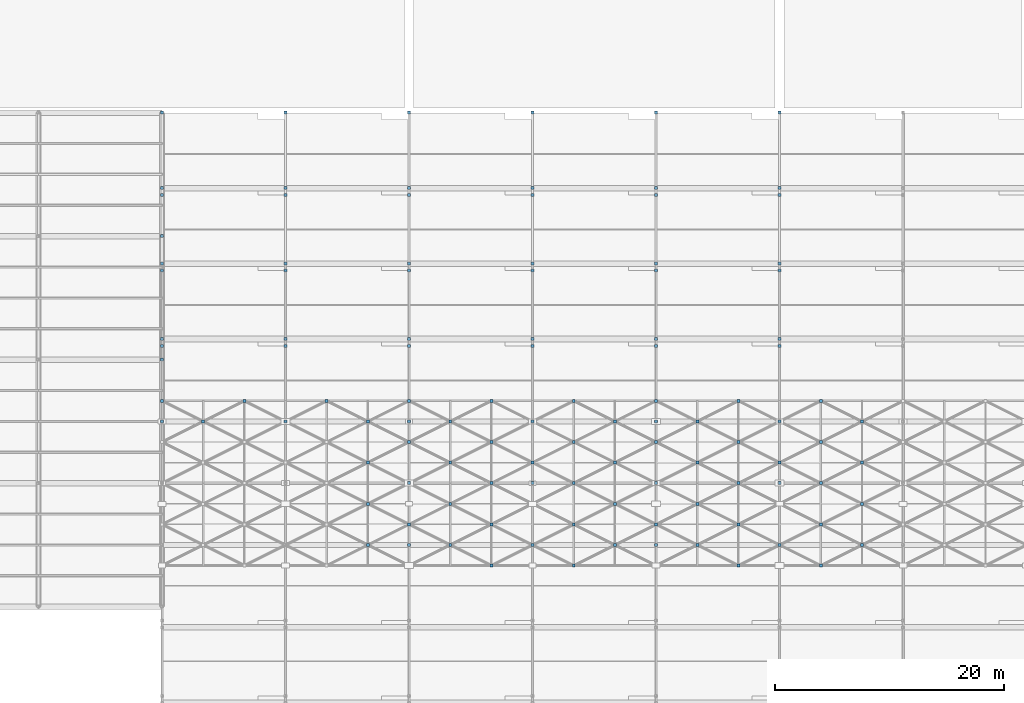
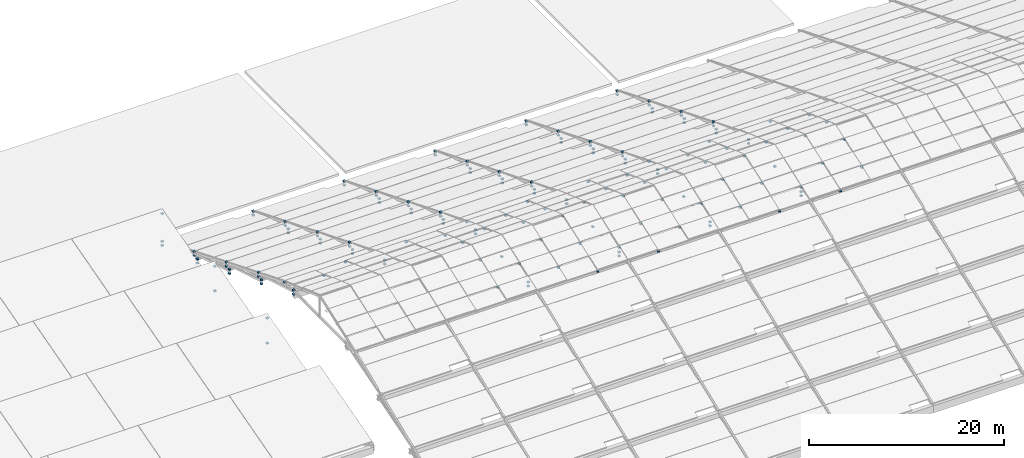
# One storey, part 108 of 112: 167 discrete accessories.
"""IFC4 building model written with IfcOpenShell, lengths in metres."""

from ifc_helpers import new_model, si_unit, direction, frame, origin, origin_2d, place, context, subcontext, project, spatial, rectangle, extrude, material, type_object, element, save


model = new_model("IFC4")

# Units and contexts
model_context = context("Model", 3, precision=1e-05, world=origin(), true_north=direction((0.0, 1.0)))
body_context = subcontext(model_context, "Body", "Model", "MODEL_VIEW")
ifc_project = project(units=[si_unit("LENGTHUNIT", "METRE"), si_unit("AREAUNIT", "SQUARE_METRE"), si_unit("VOLUMEUNIT", "CUBIC_METRE"), si_unit("PLANEANGLEUNIT", "RADIAN"), si_unit("MASSUNIT", "GRAM", prefix="KILO")], contexts=[model_context])

# Site, building, storey
site_placement = place(None, origin())
site = spatial("IfcSite", under=ifc_project, at=site_placement, CompositionType="ELEMENT")
building_placement = place(site_placement, origin())
building = spatial("IfcBuilding", under=site, at=building_placement, Name="Zwinboog Wholesale Market", CompositionType="ELEMENT")
storey_placement = place(building_placement, frame((0.0, 0.0, 19.080078125)))
storey = spatial("IfcBuildingStorey", under=building, at=storey_placement, Name="Roof", CompositionType="ELEMENT", Elevation=19.080078125)

# Discrete accessories
ifc_material = material(Name="Steel S355", Category="steel")
discrete_accessory_type = type_object("IfcDiscreteAccessoryType", Name="ACC-BRK-S355", PredefinedType="BRACKET", material=ifc_material)
for number, where, z_axis, x_axis, name in (
    (1, (64.800048828125, 108.0, -10.10986328125), (0.0, 0.0, 1.0), (1.0, 0.0, 0.0), "BK-01 (ACC-BRC-0017)"),
    (2, (64.800048828125, 108.0, -9.60986328125), (0.0, 0.0, 1.0), (1.0, 0.0, 0.0), "BK-01 (ACC-BRC-0018)"),
    (3, (64.800048828125, 100.800048828125, -7.9599609375), (0.0, 0.0, 1.0), (1.0, 0.0, 0.0), "BK-01 (ACC-BRC-0019)"),
    (4, (64.800048828125, 100.800048828125, -7.4599609375), (0.0, 0.0, 1.0), (1.0, 0.0, 0.0), "BK-01 (ACC-BRC-0020)"),
    (5, (64.800048828125, 101.39990234375, -7.41015625), (0.0, 0.0, 1.0), (1.0, 0.0, 0.0), "BK-01 (ACC-BRC-0021)"),
    (6, (64.800048828125, 101.39990234375, -6.91015625), (0.0, 0.0, 1.0), (1.0, 0.0, 0.0), "BK-01 (ACC-BRC-0022)"),
    (7, (64.800048828125, 94.199951171875, -5.26025390625), (0.0, 0.0, 1.0), (1.0, 0.0, 0.0), "BK-01 (ACC-BRC-0023)"),
    (8, (64.800048828125, 94.199951171875, -4.76025390625), (0.0, 0.0, 1.0), (1.0, 0.0, 0.0), "BK-01 (ACC-BRC-0024)"),
    (9, (64.800048828125, 94.800048828125, -4.7099609375), (0.0, 0.0, 1.0), (1.0, 0.0, 0.0), "BK-01 (ACC-BRC-0025)"),
    (10, (64.800048828125, 94.800048828125, -4.2099609375), (0.0, 0.0, 1.0), (1.0, 0.0, 0.0), "BK-01 (ACC-BRC-0026)"),
    (11, (64.800048828125, 87.60009765625, -2.56005859375), (0.0, 0.0, 1.0), (1.0, 0.0, 0.0), "BK-01 (ACC-BRC-0027)"),
    (12, (64.800048828125, 87.60009765625, -2.06005859375), (0.0, 0.0, 1.0), (1.0, 0.0, 0.0), "BK-01 (ACC-BRC-0028)"),
    (13, (64.800048828125, 88.199951171875, -2.01025390625), (0.0, 0.0, 1.0), (1.0, 0.0, 0.0), "BK-01 (ACC-BRC-0029)"),
    (14, (64.800048828125, 88.199951171875, -1.51025390625), (0.0, 0.0, 1.0), (1.0, 0.0, 0.0), "BK-01 (ACC-BRC-0030)"),
    (15, (64.800048828125, 81.0, 0.14013671875), (0.0, 0.0, 1.0), (1.0, 0.0, 0.0), "BK-01 (ACC-BRC-0031)"),
    (16, (64.800048828125, 81.0, 0.64013671875), (0.0, 0.0, 1.0), (1.0, 0.0, 0.0), "BK-01 (ACC-BRC-0032)"),
    (17, (75.60009765625, 108.0, -10.10986328125), (0.0, 0.0, 1.0), (1.0, 0.0, 0.0), "BK-01 (ACC-BRC-0050)"),
    (18, (75.60009765625, 108.0, -9.60986328125), (0.0, 0.0, 1.0), (1.0, 0.0, 0.0), "BK-01 (ACC-BRC-0051)"),
    (19, (75.60009765625, 100.800048828125, -7.9599609375), (0.0, 0.0, 1.0), (1.0, 0.0, 0.0), "BK-01 (ACC-BRC-0052)"),
    (20, (75.60009765625, 100.800048828125, -7.4599609375), (0.0, 0.0, 1.0), (1.0, 0.0, 0.0), "BK-01 (ACC-BRC-0053)"),
    (21, (75.60009765625, 101.39990234375, -7.41015625), (0.0, 0.0, 1.0), (1.0, 0.0, 0.0), "BK-01 (ACC-BRC-0054)"),
    (22, (75.60009765625, 101.39990234375, -6.91015625), (0.0, 0.0, 1.0), (1.0, 0.0, 0.0), "BK-01 (ACC-BRC-0055)"),
    (23, (75.60009765625, 94.199951171875, -5.26025390625), (0.0, 0.0, 1.0), (1.0, 0.0, 0.0), "BK-01 (ACC-BRC-0056)"),
    (24, (75.60009765625, 94.199951171875, -4.76025390625), (0.0, 0.0, 1.0), (1.0, 0.0, 0.0), "BK-01 (ACC-BRC-0057)"),
    (25, (75.60009765625, 94.800048828125, -4.7099609375), (0.0, 0.0, 1.0), (1.0, 0.0, 0.0), "BK-01 (ACC-BRC-0058)"),
    (26, (75.60009765625, 94.800048828125, -4.2099609375), (0.0, 0.0, 1.0), (1.0, 0.0, 0.0), "BK-01 (ACC-BRC-0059)"),
    (27, (75.60009765625, 87.60009765625, -2.56005859375), (0.0, 0.0, 1.0), (1.0, 0.0, 0.0), "BK-01 (ACC-BRC-0060)"),
    (28, (75.60009765625, 87.60009765625, -2.06005859375), (0.0, 0.0, 1.0), (1.0, 0.0, 0.0), "BK-01 (ACC-BRC-0061)"),
    (29, (75.60009765625, 88.199951171875, -2.01025390625), (0.0, 0.0, 1.0), (1.0, 0.0, 0.0), "BK-01 (ACC-BRC-0062)"),
    (30, (75.60009765625, 88.199951171875, -1.51025390625), (0.0, 0.0, 1.0), (1.0, 0.0, 0.0), "BK-01 (ACC-BRC-0063)"),
    (31, (75.60009765625, 81.0, 0.14013671875), (0.0, 0.0, 1.0), (1.0, 0.0, 0.0), "BK-01 (ACC-BRC-0064)"),
    (32, (75.60009765625, 81.0, 0.64013671875), (0.0, 0.0, 1.0), (1.0, 0.0, 0.0), "BK-01 (ACC-BRC-0065)"),
    (33, (86.39990234375, 70.199951171875, 0.14013671875), (0.0, 0.0, 1.0), (1.0, 0.0, 0.0), "BK-01 (ACC-BRC-0081)"),
    (34, (86.39990234375, 70.199951171875, 0.64013671875), (0.0, 0.0, 1.0), (1.0, 0.0, 0.0), "BK-01 (ACC-BRC-0082)"),
    (35, (86.39990234375, 108.0, -10.10986328125), (0.0, 0.0, 1.0), (1.0, 0.0, 0.0), "BK-01 (ACC-BRC-0083)"),
    (36, (86.39990234375, 108.0, -9.60986328125), (0.0, 0.0, 1.0), (1.0, 0.0, 0.0), "BK-01 (ACC-BRC-0084)"),
    (37, (86.39990234375, 100.800048828125, -7.9599609375), (0.0, 0.0, 1.0), (1.0, 0.0, 0.0), "BK-01 (ACC-BRC-0085)"),
    (38, (86.39990234375, 100.800048828125, -7.4599609375), (0.0, 0.0, 1.0), (1.0, 0.0, 0.0), "BK-01 (ACC-BRC-0086)"),
    (39, (86.39990234375, 101.39990234375, -7.41015625), (0.0, 0.0, 1.0), (1.0, 0.0, 0.0), "BK-01 (ACC-BRC-0087)"),
    (40, (86.39990234375, 101.39990234375, -6.91015625), (0.0, 0.0, 1.0), (1.0, 0.0, 0.0), "BK-01 (ACC-BRC-0088)"),
    (41, (86.39990234375, 94.199951171875, -5.26025390625), (0.0, 0.0, 1.0), (1.0, 0.0, 0.0), "BK-01 (ACC-BRC-0089)"),
    (42, (86.39990234375, 94.199951171875, -4.76025390625), (0.0, 0.0, 1.0), (1.0, 0.0, 0.0), "BK-01 (ACC-BRC-0090)"),
    (43, (86.39990234375, 94.800048828125, -4.7099609375), (0.0, 0.0, 1.0), (1.0, 0.0, 0.0), "BK-01 (ACC-BRC-0091)"),
    (44, (86.39990234375, 94.800048828125, -4.2099609375), (0.0, 0.0, 1.0), (1.0, 0.0, 0.0), "BK-01 (ACC-BRC-0092)"),
    (45, (86.39990234375, 87.60009765625, -2.56005859375), (0.0, 0.0, 1.0), (1.0, 0.0, 0.0), "BK-01 (ACC-BRC-0093)"),
    (46, (86.39990234375, 87.60009765625, -2.06005859375), (0.0, 0.0, 1.0), (1.0, 0.0, 0.0), "BK-01 (ACC-BRC-0094)"),
    (47, (86.39990234375, 88.199951171875, -2.01025390625), (0.0, 0.0, 1.0), (1.0, 0.0, 0.0), "BK-01 (ACC-BRC-0095)"),
    (48, (86.39990234375, 88.199951171875, -1.51025390625), (0.0, 0.0, 1.0), (1.0, 0.0, 0.0), "BK-01 (ACC-BRC-0096)"),
    (49, (86.39990234375, 81.0, 0.14013671875), (0.0, 0.0, 1.0), (1.0, 0.0, 0.0), "BK-01 (ACC-BRC-0097)"),
    (50, (86.39990234375, 81.0, 0.64013671875), (0.0, 0.0, 1.0), (1.0, 0.0, 0.0), "BK-01 (ACC-BRC-0098)"),
    (51, (86.39990234375, 75.60009765625, 0.5400390625), (0.0, 0.0, 1.0), (1.0, 0.0, 0.0), "BK-01 (ACC-BRC-0099)"),
    (52, (97.199951171875, 70.199951171875, 0.14013671875), (0.0, 0.0, 1.0), (1.0, 0.0, 0.0), "BK-01 (ACC-BRC-0114)"),
    (53, (97.199951171875, 70.199951171875, 0.64013671875), (0.0, 0.0, 1.0), (1.0, 0.0, 0.0), "BK-01 (ACC-BRC-0115)"),
    (54, (97.199951171875, 108.0, -10.10986328125), (0.0, 0.0, 1.0), (1.0, 0.0, 0.0), "BK-01 (ACC-BRC-0116)"),
    (55, (97.199951171875, 108.0, -9.60986328125), (0.0, 0.0, 1.0), (1.0, 0.0, 0.0), "BK-01 (ACC-BRC-0117)"),
    (56, (97.199951171875, 100.800048828125, -7.9599609375), (0.0, 0.0, 1.0), (1.0, 0.0, 0.0), "BK-01 (ACC-BRC-0118)"),
    (57, (97.199951171875, 100.800048828125, -7.4599609375), (0.0, 0.0, 1.0), (1.0, 0.0, 0.0), "BK-01 (ACC-BRC-0119)"),
    (58, (97.199951171875, 101.39990234375, -7.41015625), (0.0, 0.0, 1.0), (1.0, 0.0, 0.0), "BK-01 (ACC-BRC-0120)"),
    (59, (97.199951171875, 101.39990234375, -6.91015625), (0.0, 0.0, 1.0), (1.0, 0.0, 0.0), "BK-01 (ACC-BRC-0121)"),
    (60, (97.199951171875, 94.199951171875, -5.26025390625), (0.0, 0.0, 1.0), (1.0, 0.0, 0.0), "BK-01 (ACC-BRC-0122)"),
    (61, (97.199951171875, 94.199951171875, -4.76025390625), (0.0, 0.0, 1.0), (1.0, 0.0, 0.0), "BK-01 (ACC-BRC-0123)"),
    (62, (97.199951171875, 94.800048828125, -4.7099609375), (0.0, 0.0, 1.0), (1.0, 0.0, 0.0), "BK-01 (ACC-BRC-0124)"),
    (63, (97.199951171875, 94.800048828125, -4.2099609375), (0.0, 0.0, 1.0), (1.0, 0.0, 0.0), "BK-01 (ACC-BRC-0125)"),
    (64, (97.199951171875, 87.60009765625, -2.56005859375), (0.0, 0.0, 1.0), (1.0, 0.0, 0.0), "BK-01 (ACC-BRC-0126)"),
    (65, (97.199951171875, 87.60009765625, -2.06005859375), (0.0, 0.0, 1.0), (1.0, 0.0, 0.0), "BK-01 (ACC-BRC-0127)"),
    (66, (97.199951171875, 88.199951171875, -2.01025390625), (0.0, 0.0, 1.0), (1.0, 0.0, 0.0), "BK-01 (ACC-BRC-0128)"),
    (67, (97.199951171875, 88.199951171875, -1.51025390625), (0.0, 0.0, 1.0), (1.0, 0.0, 0.0), "BK-01 (ACC-BRC-0129)"),
    (68, (97.199951171875, 81.0, 0.14013671875), (0.0, 0.0, 1.0), (1.0, 0.0, 0.0), "BK-01 (ACC-BRC-0130)"),
    (69, (97.199951171875, 81.0, 0.64013671875), (0.0, 0.0, 1.0), (1.0, 0.0, 0.0), "BK-01 (ACC-BRC-0131)"),
    (70, (97.199951171875, 75.60009765625, 0.5400390625), (0.0, 0.0, 1.0), (1.0, 0.0, 0.0), "BK-01 (ACC-BRC-0132)"),
    (71, (108.0, 70.199951171875, 0.14013671875), (0.0, 0.0, 1.0), (1.0, 0.0, 0.0), "BK-01 (ACC-BRC-0147)"),
    (72, (108.0, 70.199951171875, 0.64013671875), (0.0, 0.0, 1.0), (1.0, 0.0, 0.0), "BK-01 (ACC-BRC-0148)"),
    (73, (108.0, 108.0, -10.10986328125), (0.0, 0.0, 1.0), (1.0, 0.0, 0.0), "BK-01 (ACC-BRC-0149)"),
    (74, (108.0, 108.0, -9.60986328125), (0.0, 0.0, 1.0), (1.0, 0.0, 0.0), "BK-01 (ACC-BRC-0150)"),
    (75, (108.0, 100.800048828125, -7.9599609375), (0.0, 0.0, 1.0), (1.0, 0.0, 0.0), "BK-01 (ACC-BRC-0151)"),
    (76, (108.0, 100.800048828125, -7.4599609375), (0.0, 0.0, 1.0), (1.0, 0.0, 0.0), "BK-01 (ACC-BRC-0152)"),
    (77, (108.0, 101.39990234375, -7.41015625), (0.0, 0.0, 1.0), (1.0, 0.0, 0.0), "BK-01 (ACC-BRC-0153)"),
    (78, (108.0, 101.39990234375, -6.91015625), (0.0, 0.0, 1.0), (1.0, 0.0, 0.0), "BK-01 (ACC-BRC-0154)"),
    (79, (108.0, 94.199951171875, -5.26025390625), (0.0, 0.0, 1.0), (1.0, 0.0, 0.0), "BK-01 (ACC-BRC-0155)"),
    (80, (108.0, 94.199951171875, -4.76025390625), (0.0, 0.0, 1.0), (1.0, 0.0, 0.0), "BK-01 (ACC-BRC-0156)"),
    (81, (108.0, 94.800048828125, -4.7099609375), (0.0, 0.0, 1.0), (1.0, 0.0, 0.0), "BK-01 (ACC-BRC-0157)"),
    (82, (108.0, 94.800048828125, -4.2099609375), (0.0, 0.0, 1.0), (1.0, 0.0, 0.0), "BK-01 (ACC-BRC-0158)"),
    (83, (108.0, 87.60009765625, -2.56005859375), (0.0, 0.0, 1.0), (1.0, 0.0, 0.0), "BK-01 (ACC-BRC-0159)"),
    (84, (108.0, 87.60009765625, -2.06005859375), (0.0, 0.0, 1.0), (1.0, 0.0, 0.0), "BK-01 (ACC-BRC-0160)"),
    (85, (108.0, 88.199951171875, -2.01025390625), (0.0, 0.0, 1.0), (1.0, 0.0, 0.0), "BK-01 (ACC-BRC-0161)"),
    (86, (108.0, 88.199951171875, -1.51025390625), (0.0, 0.0, 1.0), (1.0, 0.0, 0.0), "BK-01 (ACC-BRC-0162)"),
    (87, (108.0, 81.0, 0.14013671875), (0.0, 0.0, 1.0), (1.0, 0.0, 0.0), "BK-01 (ACC-BRC-0163)"),
    (88, (108.0, 81.0, 0.64013671875), (0.0, 0.0, 1.0), (1.0, 0.0, 0.0), "BK-01 (ACC-BRC-0164)"),
    (89, (108.0, 75.60009765625, 0.5400390625), (0.0, 0.0, 1.0), (1.0, 0.0, 0.0), "BK-01 (ACC-BRC-0165)"),
    (90, (118.800048828125, 70.199951171875, 0.14013671875), (0.0, 0.0, 1.0), (1.0, 0.0, 0.0), "BK-01 (ACC-BRC-0180)"),
    (91, (118.800048828125, 70.199951171875, 0.64013671875), (0.0, 0.0, 1.0), (1.0, 0.0, 0.0), "BK-01 (ACC-BRC-0181)"),
    (92, (118.800048828125, 108.0, -10.10986328125), (0.0, 0.0, 1.0), (1.0, 0.0, 0.0), "BK-01 (ACC-BRC-0182)"),
    (93, (118.800048828125, 108.0, -9.60986328125), (0.0, 0.0, 1.0), (1.0, 0.0, 0.0), "BK-01 (ACC-BRC-0183)"),
    (94, (118.800048828125, 100.800048828125, -7.9599609375), (0.0, 0.0, 1.0), (1.0, 0.0, 0.0), "BK-01 (ACC-BRC-0184)"),
    (95, (118.800048828125, 100.800048828125, -7.4599609375), (0.0, 0.0, 1.0), (1.0, 0.0, 0.0), "BK-01 (ACC-BRC-0185)"),
    (96, (118.800048828125, 101.39990234375, -7.41015625), (0.0, 0.0, 1.0), (1.0, 0.0, 0.0), "BK-01 (ACC-BRC-0186)"),
    (97, (118.800048828125, 101.39990234375, -6.91015625), (0.0, 0.0, 1.0), (1.0, 0.0, 0.0), "BK-01 (ACC-BRC-0187)"),
    (98, (118.800048828125, 94.199951171875, -5.26025390625), (0.0, 0.0, 1.0), (1.0, 0.0, 0.0), "BK-01 (ACC-BRC-0188)"),
    (99, (118.800048828125, 94.199951171875, -4.76025390625), (0.0, 0.0, 1.0), (1.0, 0.0, 0.0), "BK-01 (ACC-BRC-0189)"),
    (100, (118.800048828125, 94.800048828125, -4.7099609375), (0.0, 0.0, 1.0), (1.0, 0.0, 0.0), "BK-01 (ACC-BRC-0190)"),
    (101, (118.800048828125, 94.800048828125, -4.2099609375), (0.0, 0.0, 1.0), (1.0, 0.0, 0.0), "BK-01 (ACC-BRC-0191)"),
    (102, (118.800048828125, 87.60009765625, -2.56005859375), (0.0, 0.0, 1.0), (1.0, 0.0, 0.0), "BK-01 (ACC-BRC-0192)"),
    (103, (118.800048828125, 87.60009765625, -2.06005859375), (0.0, 0.0, 1.0), (1.0, 0.0, 0.0), "BK-01 (ACC-BRC-0193)"),
    (104, (118.800048828125, 88.199951171875, -2.01025390625), (0.0, 0.0, 1.0), (1.0, 0.0, 0.0), "BK-01 (ACC-BRC-0194)"),
    (105, (118.800048828125, 88.199951171875, -1.51025390625), (0.0, 0.0, 1.0), (1.0, 0.0, 0.0), "BK-01 (ACC-BRC-0195)"),
    (106, (118.800048828125, 81.0, 0.14013671875), (0.0, 0.0, 1.0), (1.0, 0.0, 0.0), "BK-01 (ACC-BRC-0196)"),
    (107, (118.800048828125, 81.0, 0.64013671875), (0.0, 0.0, 1.0), (1.0, 0.0, 0.0), "BK-01 (ACC-BRC-0197)"),
    (108, (118.800048828125, 75.60009765625, 0.5400390625), (0.0, 0.0, 1.0), (1.0, 0.0, 0.0), "BK-01 (ACC-BRC-0198)"),
    (109, (68.39990234375, 81.0, 1.1875), (0.0, 0.0, 1.0), (1.0, 0.0, 0.0), "BK-01 (ACC-BRC-0370)"),
    (110, (64.800048828125, 82.800048828125, 0.5498046875), (0.0, 0.0, 1.0), (1.0, 0.0, 0.0), "BK-01 (ACC-BRC-0371)"),
    (111, (72.0, 82.800048828125, 0.5498046875), (0.0, 0.0, 1.0), (1.0, 0.0, 0.0), "BK-01 (ACC-BRC-0376)"),
    (112, (79.199951171875, 82.800048828125, 0.5498046875), (0.0, 0.0, 1.0), (1.0, 0.0, 0.0), "BK-01 (ACC-BRC-0383)"),
    (113, (82.800048828125, 70.199951171875, 1.1875), (0.0, 0.0, 1.0), (1.0, 0.0, 0.0), "BK-01 (ACC-BRC-0384)"),
    (114, (82.800048828125, 73.800048828125, 2.46240234375), (0.0, 0.0, 1.0), (1.0, 0.0, 0.0), "BK-01 (ACC-BRC-0385)"),
    (115, (82.800048828125, 77.39990234375, 2.46240234375), (0.0, 0.0, 1.0), (1.0, 0.0, 0.0), "BK-01 (ACC-BRC-0386)"),
    (116, (82.800048828125, 81.0, 1.1875), (0.0, 0.0, 1.0), (1.0, 0.0, 0.0), "BK-01 (ACC-BRC-0387)"),
    (117, (86.39990234375, 72.0, 1.8251953125), (0.0, 0.0, 1.0), (1.0, 0.0, 0.0), "BK-01 (ACC-BRC-0388)"),
    (118, (86.39990234375, 79.199951171875, 1.8251953125), (0.0, 0.0, 1.0), (1.0, 0.0, 0.0), "BK-01 (ACC-BRC-0389)"),
    (119, (86.39990234375, 82.800048828125, 0.5498046875), (0.0, 0.0, 1.0), (1.0, 0.0, 0.0), "BK-01 (ACC-BRC-0390)"),
    (120, (90.0, 70.199951171875, 1.1875), (0.0, 0.0, 1.0), (1.0, 0.0, 0.0), "BK-01 (ACC-BRC-0391)"),
    (121, (90.0, 73.800048828125, 2.46240234375), (0.0, 0.0, 1.0), (1.0, 0.0, 0.0), "BK-01 (ACC-BRC-0392)"),
    (122, (90.0, 77.39990234375, 2.46240234375), (0.0, 0.0, 1.0), (1.0, 0.0, 0.0), "BK-01 (ACC-BRC-0393)"),
    (123, (90.0, 81.0, 1.1875), (0.0, 0.0, 1.0), (1.0, 0.0, 0.0), "BK-01 (ACC-BRC-0394)"),
    (124, (93.60009765625, 68.39990234375, 0.5498046875), (0.0, 0.0, 1.0), (1.0, 0.0, 0.0), "BK-01 (ACC-BRC-0395)"),
    (125, (93.60009765625, 72.0, 1.8251953125), (0.0, 0.0, 1.0), (1.0, 0.0, 0.0), "BK-01 (ACC-BRC-0396)"),
    (126, (93.60009765625, 75.60009765625, 3.10009765625), (0.0, 0.0, 1.0), (1.0, 0.0, 0.0), "BK-01 (ACC-BRC-0397)"),
    (127, (93.60009765625, 79.199951171875, 1.8251953125), (0.0, 0.0, 1.0), (1.0, 0.0, 0.0), "BK-01 (ACC-BRC-0398)"),
    (128, (93.60009765625, 82.800048828125, 0.5498046875), (0.0, 0.0, 1.0), (1.0, 0.0, 0.0), "BK-01 (ACC-BRC-0399)"),
    (129, (97.199951171875, 70.199951171875, 1.1875), (0.0, 0.0, 1.0), (1.0, 0.0, 0.0), "BK-01 (ACC-BRC-0400)"),
    (130, (97.199951171875, 77.39990234375, 2.46240234375), (0.0, 0.0, 1.0), (1.0, 0.0, 0.0), "BK-01 (ACC-BRC-0401)"),
    (131, (100.800048828125, 68.39990234375, 0.5498046875), (0.0, 0.0, 1.0), (1.0, 0.0, 0.0), "BK-01 (ACC-BRC-0402)"),
    (132, (100.800048828125, 72.0, 1.8251953125), (0.0, 0.0, 1.0), (1.0, 0.0, 0.0), "BK-01 (ACC-BRC-0403)"),
    (133, (100.800048828125, 75.60009765625, 3.10009765625), (0.0, 0.0, 1.0), (1.0, 0.0, 0.0), "BK-01 (ACC-BRC-0404)"),
    (134, (100.800048828125, 79.199951171875, 1.8251953125), (0.0, 0.0, 1.0), (1.0, 0.0, 0.0), "BK-01 (ACC-BRC-0405)"),
    (135, (100.800048828125, 82.800048828125, 0.5498046875), (0.0, 0.0, 1.0), (1.0, 0.0, 0.0), "BK-01 (ACC-BRC-0406)"),
    (136, (104.39990234375, 70.199951171875, 1.1875), (0.0, 0.0, 1.0), (1.0, 0.0, 0.0), "BK-01 (ACC-BRC-0407)"),
    (137, (104.39990234375, 73.800048828125, 2.46240234375), (0.0, 0.0, 1.0), (1.0, 0.0, 0.0), "BK-01 (ACC-BRC-0408)"),
    (138, (104.39990234375, 77.39990234375, 2.46240234375), (0.0, 0.0, 1.0), (1.0, 0.0, 0.0), "BK-01 (ACC-BRC-0409)"),
    (139, (104.39990234375, 81.0, 1.1875), (0.0, 0.0, 1.0), (1.0, 0.0, 0.0), "BK-01 (ACC-BRC-0410)"),
    (140, (108.0, 72.0, 1.8251953125), (0.0, 0.0, 1.0), (1.0, 0.0, 0.0), "BK-01 (ACC-BRC-0411)"),
    (141, (108.0, 79.199951171875, 1.8251953125), (0.0, 0.0, 1.0), (1.0, 0.0, 0.0), "BK-01 (ACC-BRC-0412)"),
    (142, (108.0, 82.800048828125, 0.5498046875), (0.0, 0.0, 1.0), (1.0, 0.0, 0.0), "BK-01 (ACC-BRC-0413)"),
    (143, (111.60009765625, 70.199951171875, 1.1875), (0.0, 0.0, 1.0), (1.0, 0.0, 0.0), "BK-01 (ACC-BRC-0414)"),
    (144, (111.60009765625, 73.800048828125, 2.46240234375), (0.0, 0.0, 1.0), (1.0, 0.0, 0.0), "BK-01 (ACC-BRC-0415)"),
    (145, (111.60009765625, 77.39990234375, 2.46240234375), (0.0, 0.0, 1.0), (1.0, 0.0, 0.0), "BK-01 (ACC-BRC-0416)"),
    (146, (111.60009765625, 81.0, 1.1875), (0.0, 0.0, 1.0), (1.0, 0.0, 0.0), "BK-01 (ACC-BRC-0417)"),
    (147, (115.199951171875, 68.39990234375, 0.5498046875), (0.0, 0.0, 1.0), (1.0, 0.0, 0.0), "BK-01 (ACC-BRC-0418)"),
    (148, (115.199951171875, 72.0, 1.8251953125), (0.0, 0.0, 1.0), (1.0, 0.0, 0.0), "BK-01 (ACC-BRC-0419)"),
    (149, (115.199951171875, 75.60009765625, 3.10009765625), (0.0, 0.0, 1.0), (1.0, 0.0, 0.0), "BK-01 (ACC-BRC-0420)"),
    (150, (115.199951171875, 79.199951171875, 1.8251953125), (0.0, 0.0, 1.0), (1.0, 0.0, 0.0), "BK-01 (ACC-BRC-0421)"),
    (151, (115.199951171875, 82.800048828125, 0.5498046875), (0.0, 0.0, 1.0), (1.0, 0.0, 0.0), "BK-01 (ACC-BRC-0422)"),
    (152, (118.800048828125, 70.199951171875, 1.1875), (0.0, 0.0, 1.0), (1.0, 0.0, 0.0), "BK-01 (ACC-BRC-0423)"),
    (153, (118.800048828125, 77.39990234375, 2.46240234375), (0.0, 0.0, 1.0), (1.0, 0.0, 0.0), "BK-01 (ACC-BRC-0424)"),
    (154, (122.39990234375, 68.39990234375, 0.5498046875), (0.0, 0.0, 1.0), (1.0, 0.0, 0.0), "BK-01 (ACC-BRC-0425)"),
    (155, (122.39990234375, 72.0, 1.8251953125), (0.0, 0.0, 1.0), (1.0, 0.0, 0.0), "BK-01 (ACC-BRC-0426)"),
    (156, (122.39990234375, 75.60009765625, 3.10009765625), (0.0, 0.0, 1.0), (1.0, 0.0, 0.0), "BK-01 (ACC-BRC-0427)"),
    (157, (122.39990234375, 79.199951171875, 1.8251953125), (0.0, 0.0, 1.0), (1.0, 0.0, 0.0), "BK-01 (ACC-BRC-0428)"),
    (158, (122.39990234375, 82.800048828125, 0.5498046875), (0.0, 0.0, 1.0), (1.0, 0.0, 0.0), "BK-01 (ACC-BRC-0429)"),
    (159, (126.0, 70.199951171875, 1.1875), (0.0, 0.0, 1.0), (1.0, 0.0, 0.0), "BK-01 (ACC-BRC-0430)"),
    (160, (126.0, 73.800048828125, 2.46240234375), (0.0, 0.0, 1.0), (1.0, 0.0, 0.0), "BK-01 (ACC-BRC-0431)"),
    (161, (126.0, 77.39990234375, 2.46240234375), (0.0, 0.0, 1.0), (1.0, 0.0, 0.0), "BK-01 (ACC-BRC-0432)"),
    (162, (126.0, 81.0, 1.1875), (0.0, 0.0, 1.0), (1.0, 0.0, 0.0), "BK-01 (ACC-BRC-0433)"),
    (163, (64.800048828125, 86.39990234375, -9.2802734375), (0.0, 0.0, 1.0), (1.0, 0.0, 0.0), "BK-01 (ACC-BRC-0597)"),
    (164, (64.800048828125, 86.39990234375, -6.13330078125), (0.0, 0.0, 1.0), (1.0, 0.0, 0.0), "BK-01 (ACC-BRC-0598)"),
    (165, (64.800048828125, 97.199951171875, -9.2802734375), (0.0, 0.0, 1.0), (1.0, 0.0, 0.0), "BK-01 (ACC-BRC-0601)"),
    (166, (64.800048828125, 97.199951171875, -6.193359375), (0.0, 0.0, 1.0), (1.0, 0.0, 0.0), "BK-01 (ACC-BRC-0602)"),
    (167, (64.800048828125, 108.0, -6.13330078125), (0.0, 0.0, 1.0), (1.0, 0.0, 0.0), "BK-01 (ACC-BRC-0605)"),
):
    element("IfcDiscreteAccessory", number, at=place(storey_placement, frame(where, z_axis=z_axis, x_axis=x_axis)), inside=storey, type_object=discrete_accessory_type, Name=name, PredefinedType="BRACKET", context=body_context, shape_type="SweptSolid", body=[
        extrude(rectangle(XDim=0.260009765625, YDim=0.260009765625, at=origin_2d()), origin(), (0.0, 0.0, 1.0), 0.159912109375),
    ])

save(model, "model.ifc")
